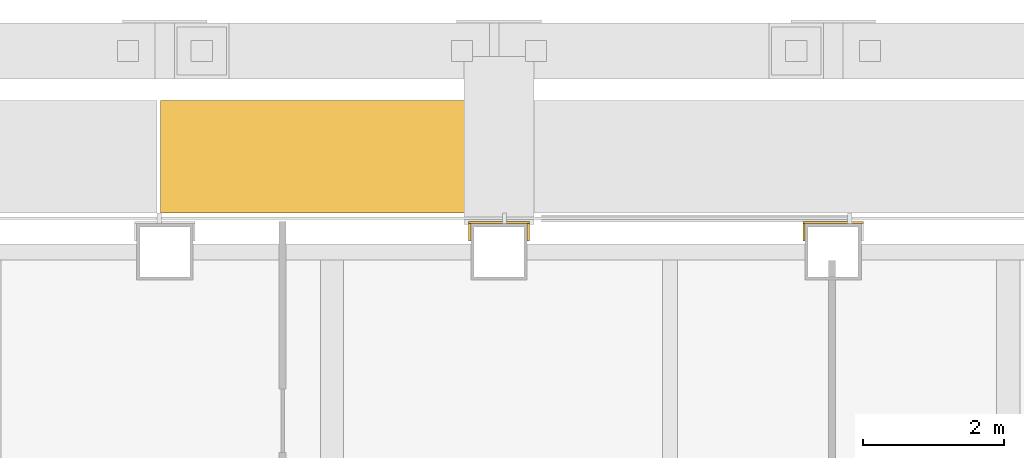
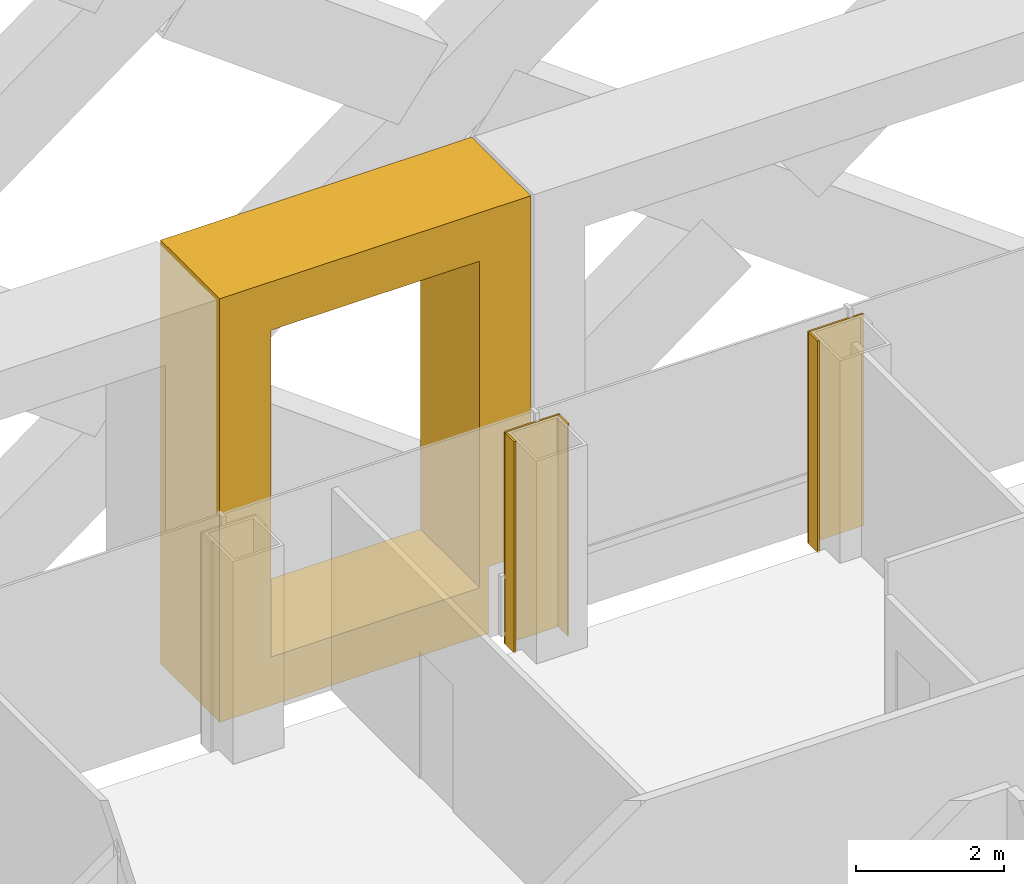
# One storey, part 23 of 25: 6 coverings.
"""IFC4 building model written with IfcOpenShell, lengths in metres."""

from ifc_helpers import new_model, si_unit, direction, frame, origin, origin_2d, place, context, subcontext, project, spatial, polyline, rectangle, outline, extrude, material, layer, layer_set, type_object, element, save


model = new_model("IFC4")

# Units and contexts
model_context = context("Model", 3, precision=1e-05, world=origin(), true_north=direction((0.0, 1.0)))
body_context = subcontext(model_context, "Body", "Model", "MODEL_VIEW")
ifc_project = project(units=[si_unit("LENGTHUNIT", "METRE"), si_unit("AREAUNIT", "SQUARE_METRE"), si_unit("VOLUMEUNIT", "CUBIC_METRE"), si_unit("PLANEANGLEUNIT", "RADIAN"), si_unit("MASSUNIT", "GRAM", prefix="KILO")], contexts=[model_context])

# Site, building, storey
site_placement = place(None, origin())
site = spatial("IfcSite", under=ifc_project, at=site_placement, CompositionType="ELEMENT")
building_placement = place(site_placement, origin())
building = spatial("IfcBuilding", under=site, at=building_placement, Name="Cobrizo Arcos Hotel Tower", CompositionType="ELEMENT")
storey_placement = place(building_placement, frame((0.0, 0.0, 148.0)))
storey = spatial("IfcBuildingStorey", under=building, at=storey_placement, Name="L37", CompositionType="ELEMENT", Elevation=148.0)

# Coverings
ifc_material_1 = material(Name="Aluminium 6063-T6 anodised bronze", Category="aluminium")
covering_type_1 = type_object("IfcCoveringType", Name="FIN-F 1600", PredefinedType="CLADDING", material=ifc_material_1)
covering_1_placement = place(storey_placement, frame((2.43212890625, 22.14990234375, 0.0), z_axis=(0.0, 1.0, 0.0), x_axis=(-1.0, 0.0, 0.0)))
element("IfcCovering", 1, at=covering_1_placement, inside=storey, type_object=covering_type_1, Name="Fin frame 173", PredefinedType="CLADDING", context=body_context, shape_type="SweptSolid", body=[
    extrude(outline(polyline([(0.0, 7.0), (0.0, 1.10205078125), (0.66259765625, 1.10205078125), (0.66259765625, 0.0), (4.8642578125, 0.0), (4.8642578125, 7.0), (0.0, 7.0)]), holes=[polyline([(4.064208984375, 0.800048828125), (0.800048828125, 0.800048828125), (0.800048828125, 6.199951171875), (4.064208984375, 6.199951171875), (4.064208984375, 0.800048828125)])]), origin(), (0.0, 0.0, 1.0), 1.60009765625),
])
ifc_material_2 = material(Name="Aluminium 6063-T6 anodised pale", Category="aluminium")
ifc_layer = layer(ifc_material_2, 0.030029296875)
ifc_layer_set = layer_set([ifc_layer], Name="PC-1 column casing pale metal 30")
covering_type_2 = type_object("IfcCoveringType", Name="PC-1 column casing pale metal 30", PredefinedType="CLADDING", material=ifc_layer_set)
covering_2_placement = place(storey_placement, frame((2.37109375, 22.014892578125, -0.14990234375), z_axis=(0.0, 0.0, 1.0), x_axis=(1.0, 0.0, 0.0)))
element("IfcCovering", 2, at=covering_2_placement, inside=storey, type_object=covering_type_2, Name="Pool hall column casing 19", PredefinedType="CLADDING", context=body_context, shape_type="SweptSolid", body=[
    extrude(rectangle(XDim=0.860107421875, YDim=0.030029296875, at=origin_2d()), origin(), (0.0, 0.0, 1.0), 3.5),
])
for number, where, z_axis, x_axis, name in (
    (3, (1.9560546875, 21.875, -0.14990234375), (0.0, 0.0, 1.0), (1.0, 0.0, 0.0), "Pool hall column casing 20"),
    (4, (2.785888671875, 21.875, -0.14990234375), (0.0, 0.0, 1.0), (1.0, 0.0, 0.0), "Pool hall column casing 21"),
):
    element("IfcCovering", number, at=place(storey_placement, frame(where, z_axis=z_axis, x_axis=x_axis)), inside=storey, type_object=covering_type_2, Name=name, PredefinedType="CLADDING", context=body_context, shape_type="SweptSolid", body=[
        extrude(rectangle(XDim=0.030029296875, YDim=0.25, at=origin_2d()), origin(), (0.0, 0.0, 1.0), 3.5),
    ])
covering_3_placement = place(storey_placement, frame((7.114013671875, 22.014892578125, -0.14990234375), z_axis=(0.0, 0.0, 1.0), x_axis=(1.0, 0.0, 0.0)))
element("IfcCovering", 5, at=covering_3_placement, inside=storey, type_object=covering_type_2, Name="Pool hall column casing 22", PredefinedType="CLADDING", context=body_context, shape_type="SweptSolid", body=[
    extrude(rectangle(XDim=0.860107421875, YDim=0.030029296875, at=origin_2d()), origin(), (0.0, 0.0, 1.0), 3.5),
])
covering_4_placement = place(storey_placement, frame((6.698974609375, 21.875, -0.14990234375), z_axis=(0.0, 0.0, 1.0), x_axis=(1.0, 0.0, 0.0)))
element("IfcCovering", 6, at=covering_4_placement, inside=storey, type_object=covering_type_2, Name="Pool hall column casing 23", PredefinedType="CLADDING", context=body_context, shape_type="SweptSolid", body=[
    extrude(rectangle(XDim=0.030029296875, YDim=0.25, at=origin_2d()), origin(), (0.0, 0.0, 1.0), 3.5),
])

save(model, "model.ifc")
